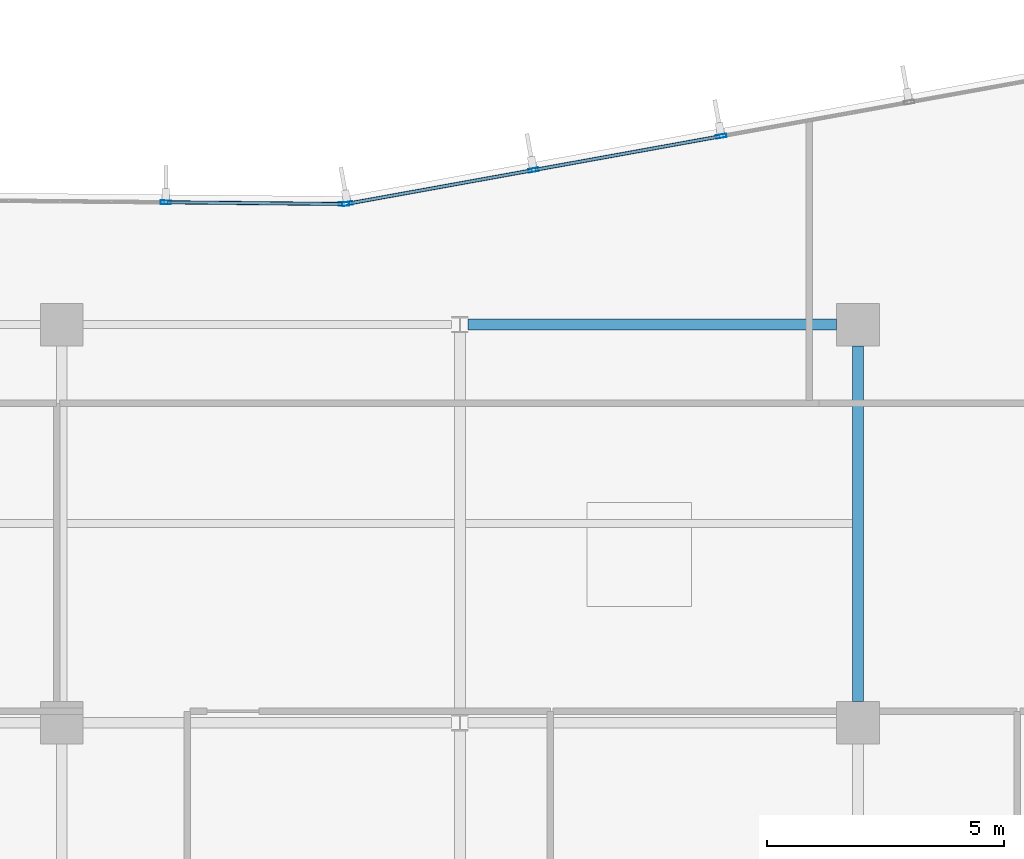
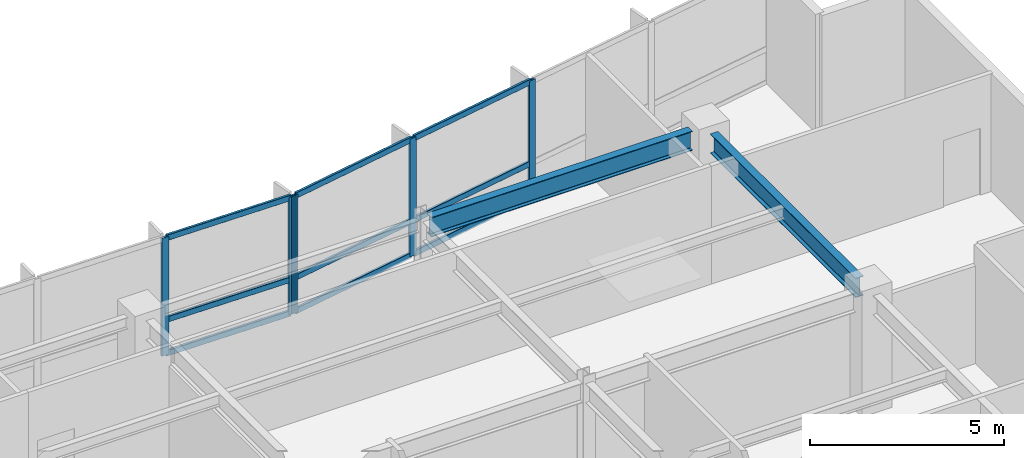
# One storey, part 6 of 18: 14 members, 2 beams, 2 elements without a shape of their own.
"""IFC4 building model written with IfcOpenShell, lengths in metres."""

from ifc_helpers import new_model, si_unit, direction, frame, origin, origin_2d, place, context, subcontext, project, spatial, hollow_rectangle, i_section, extrude, material, layer, layer_set, material_profile, profile_set, type_object, element, aggregate, save


model = new_model("IFC4")

# Units and contexts
model_context = context("Model", 3, precision=1e-05, world=origin(), true_north=direction((0.0, 1.0)))
body_context = subcontext(model_context, "Body", "Model", "MODEL_VIEW")
ifc_project = project(units=[si_unit("LENGTHUNIT", "METRE"), si_unit("AREAUNIT", "SQUARE_METRE"), si_unit("VOLUMEUNIT", "CUBIC_METRE"), si_unit("PLANEANGLEUNIT", "RADIAN"), si_unit("MASSUNIT", "GRAM", prefix="KILO")], contexts=[model_context])

# Site, building, storey
site_placement = place(None, origin())
site = spatial("IfcSite", under=ifc_project, at=site_placement, CompositionType="ELEMENT")
building_placement = place(site_placement, origin())
building = spatial("IfcBuilding", under=site, at=building_placement, Name="Varnakote Quay Hospital", CompositionType="ELEMENT")
storey_placement = place(building_placement, frame((0.0, 0.0, 30.39990234375)))
storey = spatial("IfcBuildingStorey", under=building, at=storey_placement, Name="L07", CompositionType="ELEMENT", Elevation=30.39990234375)

# Beams
ifc_material_1 = material(Name="Structural steel AS/NZS 3679.1 Grade 350 L0 (fy 340 MPa)", Category="steel")
ifc_material_profile_1 = material_profile(ifc_material_1, i_section(OverallWidth=0.22900390625, OverallDepth=0.612060546875, WebThickness=0.011962890625, FlangeThickness=0.01953125, FilletRadius=0.013916015625, at=origin_2d()), Name="610UB125")
ifc_profile_set_1 = profile_set([ifc_material_profile_1], Name="Structural steel AS/NZS 3679.1 Grade 350 L0 (fy 340 MPa)")
beam_type = type_object("IfcBeamType", Name="BM-STL-610UB125", PredefinedType="BEAM", material=ifc_profile_set_1)
beam_1_placement = place(storey_placement, frame((42.175048828125, 28.800048828125, 3.404052734375), z_axis=(1.0, 0.0, 0.0), x_axis=(0.0, 1.0, 0.0)))
element("IfcBeam", 1, at=beam_1_placement, inside=storey, type_object=beam_type, Name="L07 Primary Floor Beam", PredefinedType="BEAM", context=body_context, shape_type="SweptSolid", body=[
    extrude(i_section(OverallWidth=0.22900390625, OverallDepth=0.612060546875, WebThickness=0.011962890625, FlangeThickness=0.01953125, FilletRadius=0.013916015625, at=origin_2d()), origin(), (0.0, 0.0, 1.0), 7.77490234375),
])
beam_2_placement = place(storey_placement, frame((50.39990234375, 20.85009765625, 3.404052734375), z_axis=(0.0, 1.0, 0.0), x_axis=(-1.0, 0.0, 0.0)))
element("IfcBeam", 2, at=beam_2_placement, inside=storey, type_object=beam_type, Name="L07 Primary Tie Beam", PredefinedType="BEAM", context=body_context, shape_type="SweptSolid", body=[
    extrude(i_section(OverallWidth=0.22900390625, OverallDepth=0.612060546875, WebThickness=0.011962890625, FlangeThickness=0.01953125, FilletRadius=0.013916015625, at=origin_2d()), origin(), (0.0, 0.0, 1.0), 7.5),
])

# Curtain wall, members
ifc_material_2 = material(Name="Anodised aluminium 6063-T6 Bronze", Category="aluminium")
ifc_layer = layer(ifc_material_2, 0.18994140625)
ifc_layer_set = layer_set([ifc_layer], Name="Anodised aluminium 6063-T6 Bronze")
curtain_wall_type = type_object("IfcCurtainWallType", Name="CW-SYS-2", PredefinedType="NOTDEFINED", material=ifc_layer_set)
curtain_wall_1_placement = place(storey_placement, origin())
curtain_wall_1 = element("IfcCurtainWall", 3, at=curtain_wall_1_placement, inside=storey, type_object=curtain_wall_type, Name="L07 Unitised Bronze Curtain Wall 1", PredefinedType="NOTDEFINED")
ifc_material_3 = material(Name="Anodised aluminium 6063-T6 Bronze", Category="aluminium")
ifc_material_profile_2 = material_profile(ifc_material_3, hollow_rectangle(XDim=0.074951171875, YDim=0.219970703125, WallThickness=0.00439453125, InnerFilletRadius=0.00439453125, OuterFilletRadius=0.009033203125, at=origin_2d()), Name="CW-MULL-220x75")
ifc_profile_set_2 = profile_set([ifc_material_profile_2], Name="Anodised aluminium 6063-T6 Bronze")
member_type_1 = type_object("IfcMemberType", Name="CW-MULL-220x75", PredefinedType="MULLION", material=ifc_profile_set_2)
member_1_placement = place(storey_placement, frame((47.514892578125, 32.776123046875, 0.0), z_axis=(0.0, 0.0, 1.0), x_axis=(0.177846199098, -0.984058295766, 0.0)))
member_1 = element("IfcMember", 4, at=member_1_placement, type_object=member_type_1, Name="-2-L07-1 mullion 3", PredefinedType="MULLION", context=body_context, shape_type="SweptSolid", body=[
    extrude(hollow_rectangle(XDim=0.074951171875, YDim=0.219970703125, WallThickness=0.00439453125, InnerFilletRadius=0.00439453125, OuterFilletRadius=0.009033203125, at=origin_2d()), origin(), (0.0, 0.0, 1.0), 3.710205078125),
])
member_2_placement = place(storey_placement, frame((43.55224609375, 32.06005859375, 0.0), z_axis=(0.0, 0.0, 1.0), x_axis=(0.177846199098, -0.984058295766, 0.0)))
member_2 = element("IfcMember", 5, at=member_2_placement, type_object=member_type_1, Name="-2-L07-1 mullion 4", PredefinedType="MULLION", context=body_context, shape_type="SweptSolid", body=[
    extrude(hollow_rectangle(XDim=0.074951171875, YDim=0.219970703125, WallThickness=0.00439453125, InnerFilletRadius=0.00439453125, OuterFilletRadius=0.009033203125, at=origin_2d()), origin(), (0.0, 0.0, 1.0), 3.710205078125),
])
member_3_placement = place(storey_placement, frame((39.62646484375, 31.3505859375, 0.0), z_axis=(0.0, 0.0, 1.0), x_axis=(0.177846199098, -0.984058295766, 0.0)))
member_3 = element("IfcMember", 6, at=member_3_placement, type_object=member_type_1, Name="-2-L07-1 mullion 5", PredefinedType="MULLION", context=body_context, shape_type="SweptSolid", body=[
    extrude(hollow_rectangle(XDim=0.074951171875, YDim=0.219970703125, WallThickness=0.00439453125, InnerFilletRadius=0.00439453125, OuterFilletRadius=0.009033203125, at=origin_2d()), origin(), (0.0, 0.0, 1.0), 3.710205078125),
])

curtain_wall_2_placement = place(storey_placement, origin())
curtain_wall_2 = element("IfcCurtainWall", 7, at=curtain_wall_2_placement, inside=storey, type_object=curtain_wall_type, Name="L07 Unitised Bronze Curtain Wall 2", PredefinedType="NOTDEFINED")
member_4_placement = place(storey_placement, frame((39.552001953125, 31.34423828125, 0.0), z_axis=(0.0, 0.0, 1.0), x_axis=(-0.009774266312, -0.999952230718, 0.0)))
member_4 = element("IfcMember", 8, at=member_4_placement, type_object=member_type_1, Name="-2-L07-2 mullion 1", PredefinedType="MULLION", context=body_context, shape_type="SweptSolid", body=[
    extrude(hollow_rectangle(XDim=0.074951171875, YDim=0.219970703125, WallThickness=0.00439453125, InnerFilletRadius=0.00439453125, OuterFilletRadius=0.009033203125, at=origin_2d()), origin(), (0.0, 0.0, 1.0), 3.710205078125),
])
member_5_placement = place(storey_placement, frame((35.794189453125, 31.381103515625, 0.0), z_axis=(0.0, 0.0, 1.0), x_axis=(-0.009774266312, -0.999952230718, 0.0)))
member_5 = element("IfcMember", 9, at=member_5_placement, type_object=member_type_1, Name="-2-L07-2 mullion 2", PredefinedType="MULLION", context=body_context, shape_type="SweptSolid", body=[
    extrude(hollow_rectangle(XDim=0.074951171875, YDim=0.219970703125, WallThickness=0.00439453125, InnerFilletRadius=0.00439453125, OuterFilletRadius=0.009033203125, at=origin_2d()), origin(), (0.0, 0.0, 1.0), 3.710205078125),
])

# Member
ifc_material_4 = material(Name="Anodised aluminium 6063-T6 Bronze", Category="aluminium")
ifc_material_profile_3 = material_profile(ifc_material_4, hollow_rectangle(XDim=0.074951171875, YDim=0.179931640625, WallThickness=0.004150390625, InnerFilletRadius=0.004150390625, OuterFilletRadius=0.00830078125, at=origin_2d()), Name="CW-TRAN-180x75")
ifc_profile_set_3 = profile_set([ifc_material_profile_3], Name="Anodised aluminium 6063-T6 Bronze")
member_type_2 = type_object("IfcMemberType", Name="CW-TRAN-180x75", PredefinedType="USERDEFINED", material=ifc_profile_set_3)
member_6_placement = place(storey_placement, frame((47.477783203125, 32.76953125, 0.03759765625), z_axis=(-0.98405423478, -0.177868667876, 0.0), x_axis=(0.177868667876, -0.98405423478, 0.0)))
member_6 = element("IfcMember", 10, at=member_6_placement, type_object=member_type_2, Name="-2-L07-1 transom 3.1", ObjectType="TRANSOM", PredefinedType="USERDEFINED", context=body_context, shape_type="SweptSolid", body=[
    extrude(hollow_rectangle(XDim=0.074951171875, YDim=0.179931640625, WallThickness=0.004150390625, InnerFilletRadius=0.004150390625, OuterFilletRadius=0.00830078125, at=origin_2d()), origin(), (0.0, 0.0, 1.0), 3.95166015625),
])

member_7_placement = place(storey_placement, frame((47.477783203125, 32.76953125, 1.10009765625), z_axis=(-0.98405423478, -0.177868667876, 0.0), x_axis=(0.177868667876, -0.98405423478, 0.0)))
member_7 = element("IfcMember", 11, at=member_7_placement, type_object=member_type_2, Name="-2-L07-1 transom 3.2", ObjectType="TRANSOM", PredefinedType="USERDEFINED", context=body_context, shape_type="SweptSolid", body=[
    extrude(hollow_rectangle(XDim=0.074951171875, YDim=0.179931640625, WallThickness=0.004150390625, InnerFilletRadius=0.004150390625, OuterFilletRadius=0.00830078125, at=origin_2d()), origin(), (0.0, 0.0, 1.0), 3.95166015625),
])

member_8_placement = place(storey_placement, frame((47.477783203125, 32.76953125, 3.672607421875), z_axis=(-0.98405423478, -0.177868667876, 0.0), x_axis=(0.177868667876, -0.98405423478, 0.0)))
member_8 = element("IfcMember", 12, at=member_8_placement, type_object=member_type_2, Name="-2-L07-1 transom 3.3", ObjectType="TRANSOM", PredefinedType="USERDEFINED", context=body_context, shape_type="SweptSolid", body=[
    extrude(hollow_rectangle(XDim=0.074951171875, YDim=0.179931640625, WallThickness=0.004150390625, InnerFilletRadius=0.004150390625, OuterFilletRadius=0.00830078125, at=origin_2d()), origin(), (0.0, 0.0, 1.0), 3.95166015625),
])

member_9_placement = place(storey_placement, frame((43.515380859375, 32.053466796875, 0.03759765625), z_axis=(-0.984053005206, -0.177875470329, 0.0), x_axis=(0.177875470329, -0.984053005206, 0.0)))
member_9 = element("IfcMember", 13, at=member_9_placement, type_object=member_type_2, Name="-2-L07-1 transom 4.1", ObjectType="TRANSOM", PredefinedType="USERDEFINED", context=body_context, shape_type="SweptSolid", body=[
    extrude(hollow_rectangle(XDim=0.074951171875, YDim=0.179931640625, WallThickness=0.004150390625, InnerFilletRadius=0.004150390625, OuterFilletRadius=0.00830078125, at=origin_2d()), origin(), (0.0, 0.0, 1.0), 3.91455078125),
])

member_10_placement = place(storey_placement, frame((43.515380859375, 32.053466796875, 1.10009765625), z_axis=(-0.984053005206, -0.177875470329, 0.0), x_axis=(0.177875470329, -0.984053005206, 0.0)))
member_10 = element("IfcMember", 14, at=member_10_placement, type_object=member_type_2, Name="-2-L07-1 transom 4.2", ObjectType="TRANSOM", PredefinedType="USERDEFINED", context=body_context, shape_type="SweptSolid", body=[
    extrude(hollow_rectangle(XDim=0.074951171875, YDim=0.179931640625, WallThickness=0.004150390625, InnerFilletRadius=0.004150390625, OuterFilletRadius=0.00830078125, at=origin_2d()), origin(), (0.0, 0.0, 1.0), 3.91455078125),
])

member_11_placement = place(storey_placement, frame((43.515380859375, 32.053466796875, 3.672607421875), z_axis=(-0.984053005206, -0.177875470329, 0.0), x_axis=(0.177875470329, -0.984053005206, 0.0)))
member_11 = element("IfcMember", 15, at=member_11_placement, type_object=member_type_2, Name="-2-L07-1 transom 4.3", ObjectType="TRANSOM", PredefinedType="USERDEFINED", context=body_context, shape_type="SweptSolid", body=[
    extrude(hollow_rectangle(XDim=0.074951171875, YDim=0.179931640625, WallThickness=0.004150390625, InnerFilletRadius=0.004150390625, OuterFilletRadius=0.00830078125, at=origin_2d()), origin(), (0.0, 0.0, 1.0), 3.91455078125),
])

aggregate(curtain_wall_1, [member_1, member_2, member_3, member_6, member_7, member_8, member_9, member_10, member_11])

member_12_placement = place(storey_placement, frame((39.5146484375, 31.3447265625, 0.03759765625), z_axis=(-0.99995252931, 0.009743671073, 0.0), x_axis=(-0.009743671073, -0.99995252931, 0.0)))
member_12 = element("IfcMember", 16, at=member_12_placement, type_object=member_type_2, Name="-2-L07-2 transom 1.1", ObjectType="TRANSOM", PredefinedType="USERDEFINED", context=body_context, shape_type="SweptSolid", body=[
    extrude(hollow_rectangle(XDim=0.074951171875, YDim=0.179931640625, WallThickness=0.004150390625, InnerFilletRadius=0.004150390625, OuterFilletRadius=0.00830078125, at=origin_2d()), origin(), (0.0, 0.0, 1.0), 3.683349609375),
])

member_13_placement = place(storey_placement, frame((39.5146484375, 31.3447265625, 1.10009765625), z_axis=(-0.99995252931, 0.009743671073, 0.0), x_axis=(-0.009743671073, -0.99995252931, 0.0)))
member_13 = element("IfcMember", 17, at=member_13_placement, type_object=member_type_2, Name="-2-L07-2 transom 1.2", ObjectType="TRANSOM", PredefinedType="USERDEFINED", context=body_context, shape_type="SweptSolid", body=[
    extrude(hollow_rectangle(XDim=0.074951171875, YDim=0.179931640625, WallThickness=0.004150390625, InnerFilletRadius=0.004150390625, OuterFilletRadius=0.00830078125, at=origin_2d()), origin(), (0.0, 0.0, 1.0), 3.683349609375),
])

member_14_placement = place(storey_placement, frame((39.5146484375, 31.3447265625, 3.672607421875), z_axis=(-0.99995252931, 0.009743671073, 0.0), x_axis=(-0.009743671073, -0.99995252931, 0.0)))
member_14 = element("IfcMember", 18, at=member_14_placement, type_object=member_type_2, Name="-2-L07-2 transom 1.3", ObjectType="TRANSOM", PredefinedType="USERDEFINED", context=body_context, shape_type="SweptSolid", body=[
    extrude(hollow_rectangle(XDim=0.074951171875, YDim=0.179931640625, WallThickness=0.004150390625, InnerFilletRadius=0.004150390625, OuterFilletRadius=0.00830078125, at=origin_2d()), origin(), (0.0, 0.0, 1.0), 3.683349609375),
])

aggregate(curtain_wall_2, [member_4, member_5, member_12, member_13, member_14])

save(model, "model.ifc")
